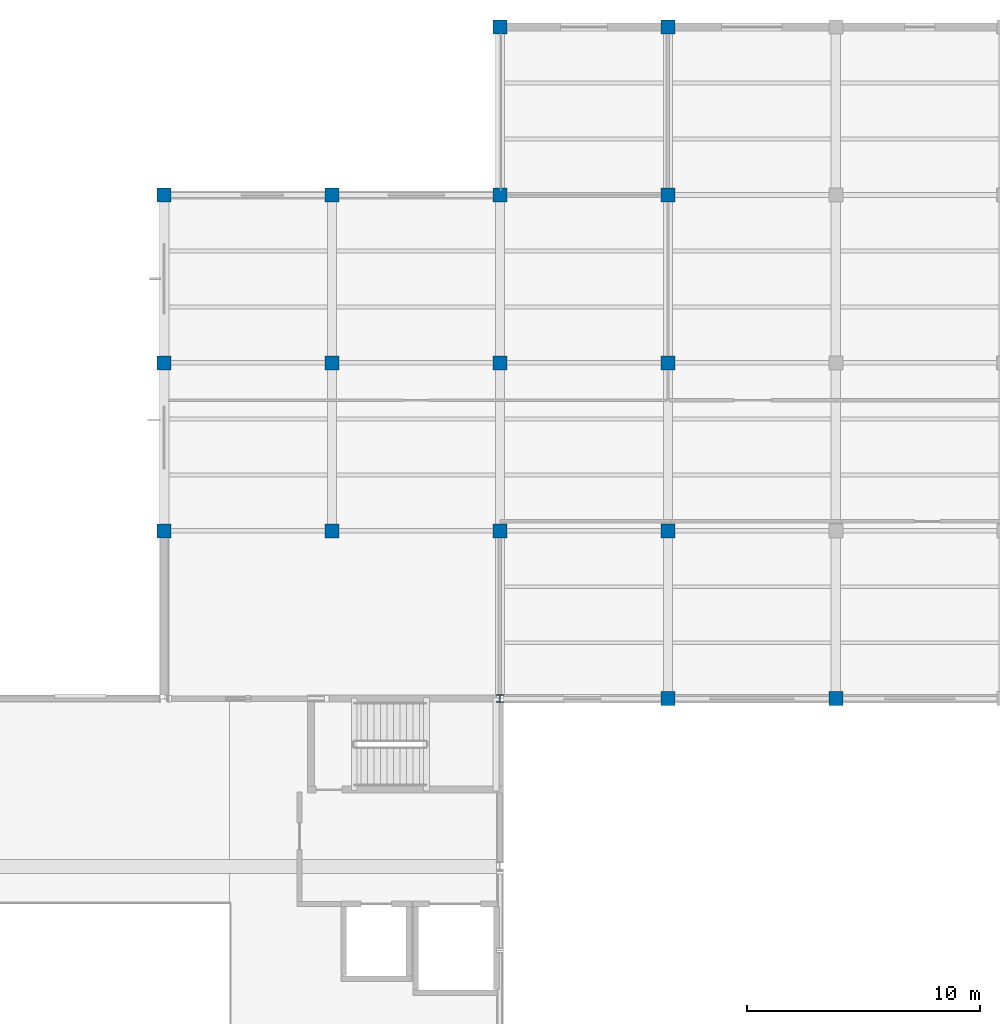
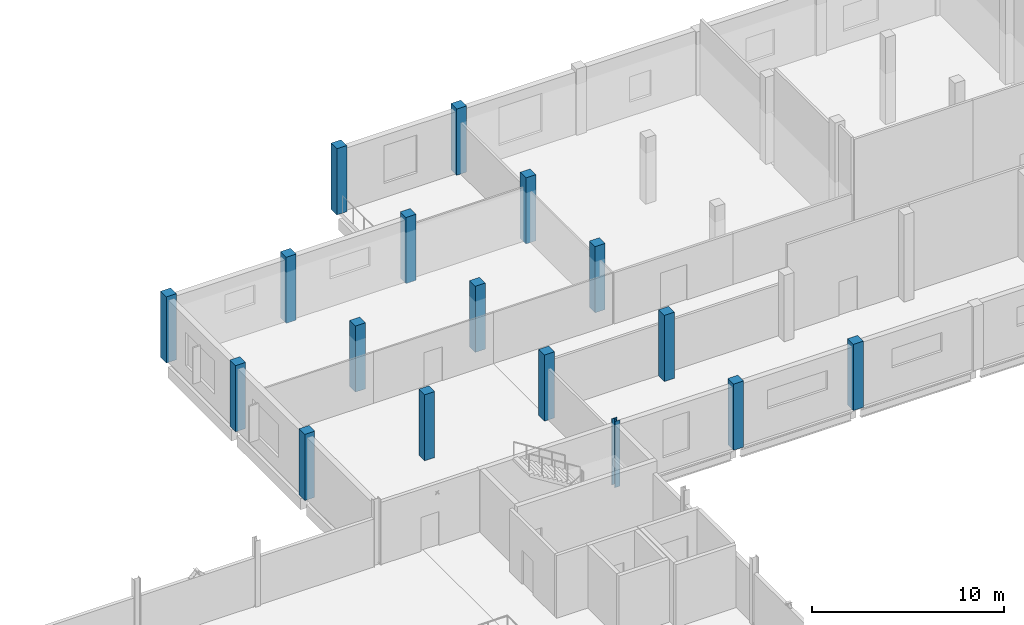
# One storey, part 3 of 48: 17 columns.
"""IFC4 building model written with IfcOpenShell, lengths in metres."""

from ifc_helpers import new_model, si_unit, direction, frame, origin, origin_2d, place, context, subcontext, project, spatial, rectangle, i_section, extrude, material, material_profile, profile_set, type_object, element, save


model = new_model("IFC4")

# Units and contexts
model_context = context("Model", 3, precision=1e-05, world=origin(), true_north=direction((0.0, 1.0)))
body_context = subcontext(model_context, "Body", "Model", "MODEL_VIEW")
ifc_project = project(units=[si_unit("LENGTHUNIT", "METRE"), si_unit("AREAUNIT", "SQUARE_METRE"), si_unit("VOLUMEUNIT", "CUBIC_METRE"), si_unit("PLANEANGLEUNIT", "RADIAN"), si_unit("MASSUNIT", "GRAM", prefix="KILO"), si_unit("THERMODYNAMICTEMPERATUREUNIT", "KELVIN"), si_unit("POWERUNIT", "WATT")], contexts=[model_context])

# Site, building, storey
site_placement = place(None, origin())
site = spatial("IfcSite", under=ifc_project, at=site_placement, CompositionType="ELEMENT")
building_placement = place(site_placement, origin())
building = spatial("IfcBuilding", under=site, at=building_placement, Name="Kaldorven Railside Theatre", CompositionType="ELEMENT")
storey_placement = place(building_placement, frame((0.0, 0.0, 18.89990234375)))
storey = spatial("IfcBuildingStorey", under=building, at=storey_placement, Name="L04", CompositionType="ELEMENT", Elevation=18.89990234375)

# Columns
ifc_material_1 = material(Name="Concrete C40/50", Category="concrete")
ifc_material_profile_1 = material_profile(ifc_material_1, rectangle(XDim=0.60009765625, YDim=0.60009765625, at=origin_2d()), Name="RC 600x600")
ifc_profile_set_1 = profile_set([ifc_material_profile_1], Name="Concrete C40/50")
column_type_1 = type_object("IfcColumnType", Name="COL-RC600", PredefinedType="COLUMN", material=ifc_profile_set_1)
for number, where, z_axis, x_axis, name in (
    (1, (130.39990234375, 112.800048828125, 0.0), (0.0, 0.0, 1.0), (0.0, 1.0, 0.0), "L04 Column CG-L04-130-112"),
    (2, (137.60009765625, 112.800048828125, 0.0), (0.0, 0.0, 1.0), (1.0, 0.0, 0.0), "L04 Column CG-L04-137-112"),
    (3, (108.800048828125, 120.0, 0.0), (0.0, 0.0, 1.0), (1.0, 0.0, 0.0), "L04 Column CG-L04-108-120"),
    (4, (116.0, 120.0, 0.0), (0.0, 0.0, 1.0), (1.0, 0.0, 0.0), "L04 Column CG-L04-116-120"),
    (5, (123.199951171875, 120.0, 0.0), (0.0, 0.0, 1.0), (0.0, 1.0, 0.0), "L04 Column CG-L04-123-120"),
    (6, (130.39990234375, 120.0, 0.0), (0.0, 0.0, 1.0), (1.0, 0.0, 0.0), "L04 Column CG-L04-130-120"),
    (7, (108.800048828125, 127.199951171875, 0.0), (0.0, 0.0, 1.0), (1.0, 0.0, 0.0), "L04 Column CG-L04-108-127"),
    (8, (116.0, 127.199951171875, 0.0), (0.0, 0.0, 1.0), (0.0, 1.0, 0.0), "L04 Column CG-L04-116-127"),
    (9, (123.199951171875, 127.199951171875, 0.0), (0.0, 0.0, 1.0), (1.0, 0.0, 0.0), "L04 Column CG-L04-123-127"),
    (10, (130.39990234375, 127.199951171875, 0.0), (0.0, 0.0, 1.0), (0.0, 1.0, 0.0), "L04 Column CG-L04-130-127"),
    (11, (108.800048828125, 134.39990234375, 0.0), (0.0, 0.0, 1.0), (0.0, 1.0, 0.0), "L04 Column CG-L04-108-134"),
    (12, (116.0, 134.39990234375, 0.0), (0.0, 0.0, 1.0), (1.0, 0.0, 0.0), "L04 Column CG-L04-116-134"),
    (13, (123.199951171875, 134.39990234375, 0.0), (0.0, 0.0, 1.0), (0.0, 1.0, 0.0), "L04 Column CG-L04-123-134"),
    (14, (130.39990234375, 134.39990234375, 0.0), (0.0, 0.0, 1.0), (1.0, 0.0, 0.0), "L04 Column CG-L04-130-134"),
    (15, (123.199951171875, 141.60009765625, 0.0), (0.0, 0.0, 1.0), (1.0, 0.0, 0.0), "L04 Column CG-L04-123-141"),
    (16, (130.39990234375, 141.60009765625, 0.0), (0.0, 0.0, 1.0), (1.0, 0.0, 0.0), "L04 Column CG-L04-130-141"),
):
    element("IfcColumn", number, at=place(storey_placement, frame(where, z_axis=z_axis, x_axis=x_axis)), inside=storey, type_object=column_type_1, Name=name, PredefinedType="COLUMN", context=body_context, shape_type="SweptSolid", body=[
        extrude(rectangle(XDim=0.60009765625, YDim=0.60009765625, at=origin_2d()), origin(), (0.0, 0.0, 1.0), 4.2001953125),
    ])
ifc_material_2 = material(Name="Steel S355", Category="steel")
ifc_material_profile_2 = material_profile(ifc_material_2, i_section(OverallWidth=0.30908203125, OverallDepth=0.320556640625, WebThickness=0.013916015625, FlangeThickness=0.021728515625, at=origin_2d()), Name="UC 305x305x137")
ifc_profile_set_2 = profile_set([ifc_material_profile_2], Name="Steel S355")
column_type_2 = type_object("IfcColumnType", Name="COL-UC305", PredefinedType="COLUMN", material=ifc_profile_set_2)
column_placement = place(storey_placement, frame((123.199951171875, 112.800048828125, 0.0), z_axis=(0.0, 0.0, 1.0), x_axis=(1.0, 0.0, 0.0)))
element("IfcColumn", 17, at=column_placement, inside=storey, type_object=column_type_2, Name="L04 Column CG-L04-123-112", PredefinedType="COLUMN", context=body_context, shape_type="SweptSolid", body=[
    extrude(i_section(OverallWidth=0.30908203125, OverallDepth=0.320556640625, WebThickness=0.013916015625, FlangeThickness=0.021728515625, at=origin_2d()), origin(), (0.0, 0.0, 1.0), 4.2001953125),
])

save(model, "model.ifc")
